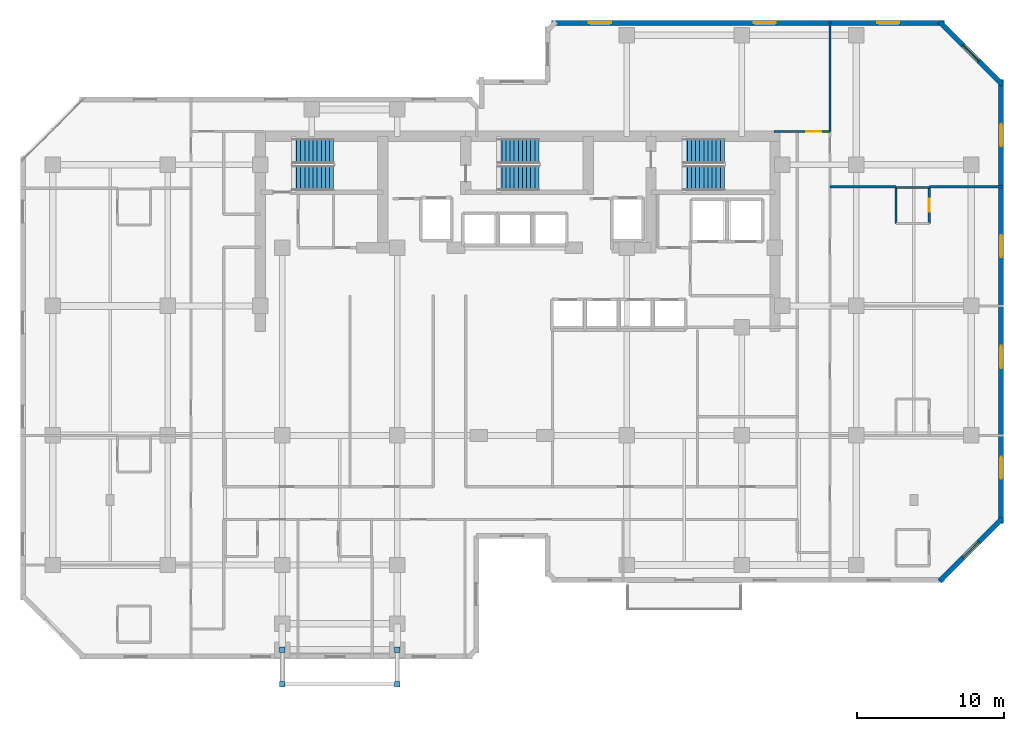
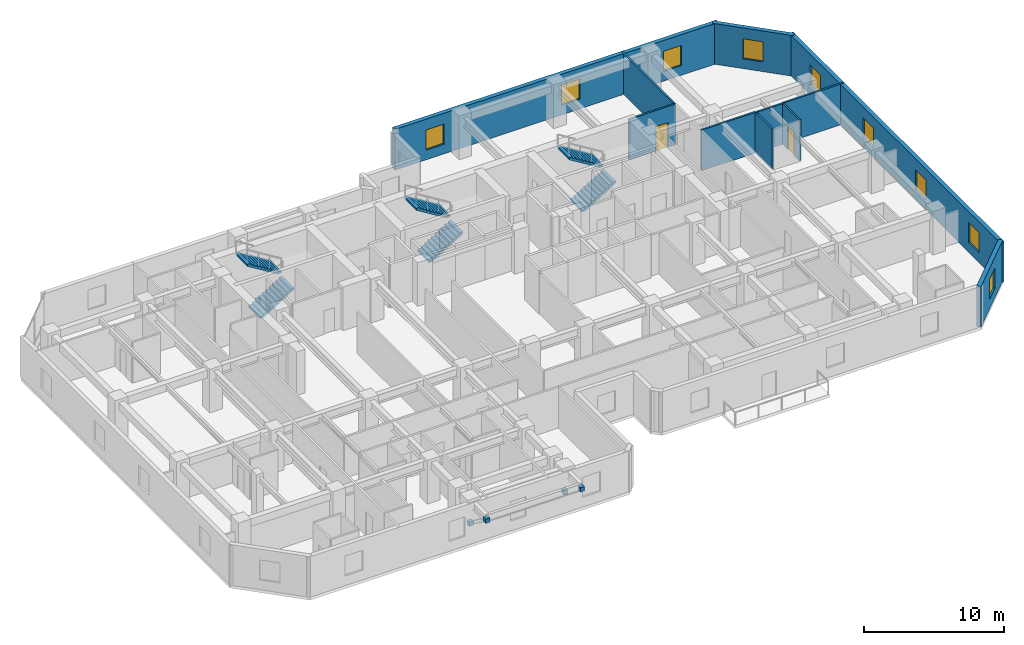
# One storey, part 9 of 11: 11 walls, 9 windows, 6 stair flights, 4 discrete accessories, 2 doors, 11 openings, 3 elements without a shape of their own.
"""IFC4 building model written with IfcOpenShell, lengths in metres."""

import ifcopenshell
import ifcopenshell.guid

model = None  # the IFC model being written
_history = None  # IfcOwnerHistory: only IFC2X3 demands one
_inside = {}  # id of a spatial element -> (the spatial element, [elements in it])
_under = {}  # id of a project, library or spatial element -> (it, [spatial elements below it])
_declared = {}  # id of a project -> (the project, [libraries it declares])
_typed = {}  # id of a type object -> (the type object, [elements of that type])
_made_of = {}  # id of a material, layer set ... -> (it, [elements and type objects made of it])


def new_model(schema):
    """Start an empty IFC model of exactly this schema.

    Asked for "IFC4X3", IfcOpenShell would pick the latest addendum, in which some entities
    have other attributes; the version numbers below select the first issue.
    IFC2X3 requires an IfcOwnerHistory on every rooted entity: one is made here for all.
    """
    global model, _history
    if schema == "IFC4X3":
        model = ifcopenshell.file(schema_version=(4, 3, 0, 0))
    else:
        model = ifcopenshell.file(schema=schema)
    _inside.clear()
    _under.clear()
    _declared.clear()
    _typed.clear()
    _made_of.clear()
    _history = None
    if model.schema == "IFC2X3":
        org = make("IfcOrganization", Name="unknown")
        user = make(
            "IfcPersonAndOrganization",
            ThePerson=make("IfcPerson", FamilyName="unknown"),
            TheOrganization=org,
        )
        app = make(
            "IfcApplication",
            ApplicationDeveloper=org,
            Version="unknown",
            ApplicationFullName="unknown",
            ApplicationIdentifier="unknown",
        )
        _history = make(
            "IfcOwnerHistory",
            OwningUser=user,
            OwningApplication=app,
            ChangeAction="ADDED",
            CreationDate=0,
        )
    return model


def make(cls, **values):
    """One entity of the class cls with the attributes given. An attribute that is None is left unset."""
    return model.create_entity(
        cls, **{name: value for name, value in values.items() if value is not None}
    )


def rooted(cls, **values):
    """An entity with a GlobalId (a new one), such as an element, a storey or a relation."""
    return make(cls, GlobalId=ifcopenshell.guid.new(), OwnerHistory=_history, **values)


def si_unit(unit_type, name, prefix=None):
    """IfcSIUnit, for example si_unit("LENGTHUNIT", "METRE", prefix="MILLI")."""
    return make("IfcSIUnit", UnitType=unit_type, Prefix=prefix, Name=name)


def assignment(units):
    """IfcUnitAssignment: the units of a project."""
    return None if units is None else make("IfcUnitAssignment", Units=units)


def point(xyz):
    """IfcCartesianPoint."""
    return None if xyz is None else make("IfcCartesianPoint", Coordinates=xyz)


def direction(xyz):
    """IfcDirection."""
    return None if xyz is None else make("IfcDirection", DirectionRatios=xyz)


def frame(location, z_axis=None, x_axis=None):
    """IfcAxis2Placement3D, a coordinate frame: its origin and axes. An axis left out is left unset."""
    return make(
        "IfcAxis2Placement3D",
        Location=point(location),
        Axis=direction(z_axis),
        RefDirection=direction(x_axis),
    )


def frame_2d(location, x_axis=None):
    """IfcAxis2Placement2D, a coordinate frame in the plane: its origin and x axis."""
    return make(
        "IfcAxis2Placement2D", Location=point(location), RefDirection=direction(x_axis)
    )


def origin():
    """The frame at (0, 0, 0) with its axes left unset."""
    return frame((0.0, 0.0, 0.0))


def origin_2d():
    """The frame at (0, 0) in the plane with its x axis left unset."""
    return frame_2d((0.0, 0.0))


def place(relative_to, where):
    """IfcLocalPlacement: puts the frame where relative to a parent placement (None: the world)."""
    return make(
        "IfcLocalPlacement", PlacementRelTo=relative_to, RelativePlacement=where
    )


def context(
    kind, dimensions, precision=None, world=None, true_north=None, identifier=None
):
    """IfcGeometricRepresentationContext, for example the 3D "Model" context."""
    return make(
        "IfcGeometricRepresentationContext",
        ContextIdentifier=identifier,
        ContextType=kind,
        CoordinateSpaceDimension=dimensions,
        Precision=precision,
        WorldCoordinateSystem=world,
        TrueNorth=true_north,
    )


def subcontext(parent, identifier, kind, view, scale=None):
    """IfcGeometricRepresentationSubContext, for example "Body" below "Model"."""
    return make(
        "IfcGeometricRepresentationSubContext",
        ContextIdentifier=identifier,
        ContextType=kind,
        ParentContext=parent,
        TargetScale=scale,
        TargetView=view,
    )


def project(units=None, contexts=None):
    """IfcProject with its units and contexts."""
    return rooted(
        "IfcProject",
        Name="project",
        RepresentationContexts=contexts,
        UnitsInContext=assignment(units),
    )


def spatial(cls, under=None, at=None, **own):
    """A site, building, storey or space (cls), placed at a placement, below another one or the project."""
    s = rooted(cls, ObjectPlacement=at, **own)
    if under is not None:
        _under.setdefault(under.id(), (under, []))[1].append(s)
    return s


def polyline(points):
    """IfcPolyline through the points."""
    return make("IfcPolyline", Points=[point(p) for p in points])


def profile(cls, at=None, kind="AREA", **sizes):
    """A parametric profile (cls). Its sizes go by their IFC names, for example OverallWidth=200.0."""
    return make(cls, ProfileType=kind, Position=at, **sizes)


def rectangle(**sizes):
    """IfcRectangleProfileDef."""
    return profile("IfcRectangleProfileDef", **sizes)


def outline(outer, holes=None, kind="AREA"):
    """IfcArbitraryClosedProfileDef: a profile drawn as a closed curve; with holes, ...WithVoids."""
    if holes is None:
        return make("IfcArbitraryClosedProfileDef", ProfileType=kind, OuterCurve=outer)
    return make(
        "IfcArbitraryProfileDefWithVoids",
        ProfileType=kind,
        OuterCurve=outer,
        InnerCurves=holes,
    )


def extrude(swept, where, along, depth):
    """IfcExtrudedAreaSolid: the profile swept, set in the frame where, extruded along a direction by depth."""
    return make(
        "IfcExtrudedAreaSolid",
        SweptArea=swept,
        Position=where,
        ExtrudedDirection=direction(along),
        Depth=depth,
    )


def shape(context_of_items, identifier, shape_type, items):
    """IfcShapeRepresentation: the items that make up one representation, for example the "Body"."""
    return make(
        "IfcShapeRepresentation",
        ContextOfItems=context_of_items,
        RepresentationIdentifier=identifier,
        RepresentationType=shape_type,
        Items=items,
    )


def material(Name=None, Category=None):
    """IfcMaterial."""
    return make("IfcMaterial", Name=Name, Category=Category)


def layer(
    of_material, thickness, ventilated=None, Name=None, Category=None, Priority=None
):
    """IfcMaterialLayer: one layer of a wall or slab, of a material (None: an air gap)."""
    return make(
        "IfcMaterialLayer",
        Material=of_material,
        LayerThickness=thickness,
        IsVentilated=ventilated,
        Name=Name,
        Category=Category,
        Priority=Priority,
    )


def layer_set(layers, Name=None):
    """IfcMaterialLayerSet."""
    return make("IfcMaterialLayerSet", MaterialLayers=layers, LayerSetName=Name)


def made_of(thing, what):
    """Note that an element or type object is made of a material, layer set ...; save() writes the relation."""
    if what is not None:
        _made_of.setdefault(what.id(), (what, []))[1].append(thing)
    return thing


def type_object(cls, material=None, **own):
    """A type object (cls), such as IfcWallType, which elements share."""
    return made_of(rooted(cls, **own), material)


def element(
    cls,
    number,
    at=None,
    inside=None,
    cuts=None,
    type_object=None,
    material=None,
    context=None,
    identifier="Body",
    shape_type=None,
    held_by="IfcProductDefinitionShape",
    body=None,
    shapes=None,
    **own,
):
    """One element of the class cls, such as IfcWall. Its Tag is "e" and its number.

    at: its placement. inside: the storey or other place that contains it. cuts: it is an
    opening in that element (IfcRelVoidsElement). A single representation is given by context,
    identifier, shape_type and body (its items); several are given by shapes. held_by: the class
    of the entity that holds the representations. save() writes the other relations.
    """
    e = rooted(cls, Tag="e%d" % number, ObjectPlacement=at, **own)
    if body is not None:
        shapes = [shape(context, identifier, shape_type, body)]
    if shapes is not None:
        e.Representation = make(held_by, Representations=shapes)
    if inside is not None:
        _inside.setdefault(inside.id(), (inside, []))[1].append(e)
    if cuts is not None:
        rooted(
            "IfcRelVoidsElement", RelatingBuildingElement=cuts, RelatedOpeningElement=e
        )
    if type_object is not None:
        _typed.setdefault(type_object.id(), (type_object, []))[1].append(e)
    return made_of(e, material)


def fill(opening, filler):
    """IfcRelFillsElement: the door or window that sits in an opening."""
    return rooted(
        "IfcRelFillsElement",
        RelatingOpeningElement=opening,
        RelatedBuildingElement=filler,
    )


def aggregate(whole, parts):
    """IfcRelAggregates: a whole, such as a stair, and the parts it consists of."""
    return rooted("IfcRelAggregates", RelatingObject=whole, RelatedObjects=parts)


def save(model, path):
    """Write the relations noted so far, then the file.

    IfcRelAggregates (storeys below a building ...), IfcRelContainedInSpatialStructure (elements
    in a storey), IfcRelDefinesByType, IfcRelAssociatesMaterial and IfcRelDeclares: one each for
    every whole, place, type object, material and project.
    """
    for whole, parts in _under.values():
        aggregate(whole, parts)
    for where, things in _inside.values():
        rooted(
            "IfcRelContainedInSpatialStructure",
            RelatedElements=things,
            RelatingStructure=where,
        )
    for kind, things in _typed.values():
        rooted("IfcRelDefinesByType", RelatedObjects=things, RelatingType=kind)
    for what, things in _made_of.values():
        rooted("IfcRelAssociatesMaterial", RelatedObjects=things, RelatingMaterial=what)
    for by, libraries in _declared.values():
        rooted("IfcRelDeclares", RelatingContext=by, RelatedDefinitions=libraries)
    model.write(path)


model = new_model("IFC4")

# Units and contexts
model_context = context("Model", 3, precision=1e-05, world=origin(), true_north=direction((0.0, 1.0)))
body_context = subcontext(model_context, "Body", "Model", "MODEL_VIEW")
ifc_project = project(units=[si_unit("LENGTHUNIT", "METRE"), si_unit("AREAUNIT", "SQUARE_METRE"), si_unit("VOLUMEUNIT", "CUBIC_METRE"), si_unit("PLANEANGLEUNIT", "RADIAN"), si_unit("MASSUNIT", "GRAM", prefix="KILO")], contexts=[model_context])

# Site, building, storey
site_placement = place(None, origin())
site = spatial("IfcSite", under=ifc_project, at=site_placement, CompositionType="ELEMENT")
building_placement = place(site_placement, origin())
building = spatial("IfcBuilding", under=site, at=building_placement, Name="Kestravale Grand Hotel", CompositionType="ELEMENT")
storey_placement = place(building_placement, frame((0.0, 0.0, 161.199951171875)))
storey = spatial("IfcBuildingStorey", under=building, at=storey_placement, Name="L40", CompositionType="ELEMENT", Elevation=161.199951171875)

# Wall, opening, window
ifc_material_1 = material(Name="Precast concrete f'c 45 MPa", Category="concrete")
ifc_layer_1 = layer(ifc_material_1, 0.340087890625)
ifc_layer_set_1 = layer_set([ifc_layer_1], Name="EW-PREC-340")
wall_type_1 = type_object("IfcWallType", Name="EW-PREC-340", PredefinedType="SOLIDWALL", material=ifc_layer_set_1)
wall_1_placement = place(storey_placement, frame((68.051513671875, 10.091796875, 0.0), z_axis=(0.0, 0.0, 1.0), x_axis=(0.707106781187, 0.707106781187, 0.0)))
wall_1 = element("IfcWall", 1, at=wall_1_placement, inside=storey, type_object=wall_type_1, Name="L40 fluted precast facade wall 8", PredefinedType="SOLIDWALL", context=body_context, shape_type="SweptSolid", body=[
    extrude(rectangle(XDim=6.019775390625, YDim=0.340087890625, at=frame_2d((3.009765625, 0.0))), origin(), (0.0, 0.0, 1.0), 3.550048828125),
])
opening_1_placement = place(wall_1_placement, frame((2.260009765625, 0.0, 0.85009765625)))
opening_1 = element("IfcOpeningElement", 2, at=opening_1_placement, cuts=wall_1, Name="Opening W-GUEST-1500", PredefinedType="OPENING", context=body_context, shape_type="SweptSolid", body=[
    extrude(rectangle(XDim=1.5, YDim=1.75, at=frame_2d((0.75, 0.875))), frame((0.0, 0.179931640625, 0.0), z_axis=(0.0, -1.0, 0.0), x_axis=(1.0, 0.0, 0.0)), (0.0, 0.0, 1.0), 0.360107421875),
])
ifc_material_2 = material(Name="Insulated low-E double glazing in aluminium frame", Category="aluminium")
window_type = type_object("IfcWindowType", Name="W-GUEST-1500", PartitioningType="SINGLE_PANEL", PredefinedType="WINDOW", material=ifc_material_2)
window_1_placement = place(opening_1_placement, origin())
window_1 = element("IfcWindow", 3, at=window_1_placement, inside=storey, type_object=window_type, Name="L40 exterior window 8.1", OverallHeight=1.75, OverallWidth=1.5, PartitioningType="SINGLE_PANEL", PredefinedType="WINDOW", context=body_context, shape_type="SweptSolid", body=[
    extrude(rectangle(XDim=1.5, YDim=1.75, at=frame_2d((0.75, 0.875))), frame((0.0, 0.030029296875, 0.0), z_axis=(0.0, -1.0, 0.0), x_axis=(1.0, 0.0, 0.0)), (0.0, 0.0, 1.0), 0.06005859375),
])
fill(opening_1, window_1)

# Wall, openings, windows
wall_2_placement = place(storey_placement, frame((72.22998046875, 14.030029296875, 0.0), z_axis=(0.0, 0.0, 1.0), x_axis=(0.0, 1.0, 0.0)))
wall_2 = element("IfcWall", 4, at=wall_2_placement, inside=storey, type_object=wall_type_1, Name="L40 fluted precast facade wall 9", PredefinedType="SOLIDWALL", context=body_context, shape_type="SweptSolid", body=[
    extrude(rectangle(XDim=30.139892578125, YDim=0.340087890625, at=frame_2d((15.06982421875, 0.0))), origin(), (0.0, 0.0, 1.0), 3.550048828125),
])
opening_2_placement = place(wall_2_placement, frame((3.017578125, 0.0, 0.85009765625)))
opening_2 = element("IfcOpeningElement", 5, at=opening_2_placement, cuts=wall_2, Name="Opening W-GUEST-1500", PredefinedType="OPENING", context=body_context, shape_type="SweptSolid", body=[
    extrude(rectangle(XDim=1.5, YDim=1.75, at=frame_2d((0.75, 0.875))), frame((0.0, 0.179931640625, 0.0), z_axis=(0.0, -1.0, 0.0), x_axis=(1.0, 0.0, 0.0)), (0.0, 0.0, 1.0), 0.360107421875),
])
opening_3_placement = place(wall_2_placement, frame((10.552490234375, 0.0, 0.85009765625)))
opening_3 = element("IfcOpeningElement", 6, at=opening_3_placement, cuts=wall_2, Name="Opening W-GUEST-1500", PredefinedType="OPENING", context=body_context, shape_type="SweptSolid", body=[
    extrude(rectangle(XDim=1.5, YDim=1.75, at=frame_2d((0.75, 0.875))), frame((0.0, 0.179931640625, 0.0), z_axis=(0.0, -1.0, 0.0), x_axis=(1.0, 0.0, 0.0)), (0.0, 0.0, 1.0), 0.360107421875),
])
opening_4_placement = place(wall_2_placement, frame((18.08740234375, 0.0, 0.85009765625)))
opening_4 = element("IfcOpeningElement", 7, at=opening_4_placement, cuts=wall_2, Name="Opening W-GUEST-1500", PredefinedType="OPENING", context=body_context, shape_type="SweptSolid", body=[
    extrude(rectangle(XDim=1.5, YDim=1.75, at=frame_2d((0.75, 0.875))), frame((0.0, 0.179931640625, 0.0), z_axis=(0.0, -1.0, 0.0), x_axis=(1.0, 0.0, 0.0)), (0.0, 0.0, 1.0), 0.360107421875),
])
opening_5_placement = place(wall_2_placement, frame((25.62255859375, 0.0, 0.85009765625)))
opening_5 = element("IfcOpeningElement", 8, at=opening_5_placement, cuts=wall_2, Name="Opening W-GUEST-1500", PredefinedType="OPENING", context=body_context, shape_type="SweptSolid", body=[
    extrude(rectangle(XDim=1.5, YDim=1.75, at=frame_2d((0.75, 0.875))), frame((0.0, 0.179931640625, 0.0), z_axis=(0.0, -1.0, 0.0), x_axis=(1.0, 0.0, 0.0)), (0.0, 0.0, 1.0), 0.360107421875),
])
window_2_placement = place(opening_2_placement, origin())
window_2 = element("IfcWindow", 9, at=window_2_placement, inside=storey, type_object=window_type, Name="L40 exterior window 9.1", OverallHeight=1.75, OverallWidth=1.5, PartitioningType="SINGLE_PANEL", PredefinedType="WINDOW", context=body_context, shape_type="SweptSolid", body=[
    extrude(rectangle(XDim=1.5, YDim=1.75, at=frame_2d((0.75, 0.875))), frame((0.0, 0.030029296875, 0.0), z_axis=(0.0, -1.0, 0.0), x_axis=(1.0, 0.0, 0.0)), (0.0, 0.0, 1.0), 0.06005859375),
])
fill(opening_2, window_2)
window_3_placement = place(opening_3_placement, origin())
window_3 = element("IfcWindow", 10, at=window_3_placement, inside=storey, type_object=window_type, Name="L40 exterior window 9.2", OverallHeight=1.75, OverallWidth=1.5, PartitioningType="SINGLE_PANEL", PredefinedType="WINDOW", context=body_context, shape_type="SweptSolid", body=[
    extrude(rectangle(XDim=1.5, YDim=1.75, at=frame_2d((0.75, 0.875))), frame((0.0, 0.030029296875, 0.0), z_axis=(0.0, -1.0, 0.0), x_axis=(1.0, 0.0, 0.0)), (0.0, 0.0, 1.0), 0.06005859375),
])
fill(opening_3, window_3)
window_4_placement = place(opening_4_placement, origin())
window_4 = element("IfcWindow", 11, at=window_4_placement, inside=storey, type_object=window_type, Name="L40 exterior window 9.3", OverallHeight=1.75, OverallWidth=1.5, PartitioningType="SINGLE_PANEL", PredefinedType="WINDOW", context=body_context, shape_type="SweptSolid", body=[
    extrude(rectangle(XDim=1.5, YDim=1.75, at=frame_2d((0.75, 0.875))), frame((0.0, 0.030029296875, 0.0), z_axis=(0.0, -1.0, 0.0), x_axis=(1.0, 0.0, 0.0)), (0.0, 0.0, 1.0), 0.06005859375),
])
fill(opening_4, window_4)
window_5_placement = place(opening_5_placement, origin())
window_5 = element("IfcWindow", 12, at=window_5_placement, inside=storey, type_object=window_type, Name="L40 exterior window 9.4", OverallHeight=1.75, OverallWidth=1.5, PartitioningType="SINGLE_PANEL", PredefinedType="WINDOW", context=body_context, shape_type="SweptSolid", body=[
    extrude(rectangle(XDim=1.5, YDim=1.75, at=frame_2d((0.75, 0.875))), frame((0.0, 0.030029296875, 0.0), z_axis=(0.0, -1.0, 0.0), x_axis=(1.0, 0.0, 0.0)), (0.0, 0.0, 1.0), 0.06005859375),
])
fill(opening_5, window_5)

# Wall, opening, window
wall_3_placement = place(storey_placement, frame((72.30810546875, 43.8515625, 0.0), z_axis=(0.0, 0.0, 1.0), x_axis=(-0.707106781187, 0.707106781187, 0.0)))
wall_3 = element("IfcWall", 13, at=wall_3_placement, inside=storey, type_object=wall_type_1, Name="L40 fluted precast facade wall 10", PredefinedType="SOLIDWALL", context=body_context, shape_type="SweptSolid", body=[
    extrude(rectangle(XDim=6.019775390625, YDim=0.340087890625, at=frame_2d((3.009765625, 0.0))), origin(), (0.0, 0.0, 1.0), 3.550048828125),
])
opening_6_placement = place(wall_3_placement, frame((2.260009765625, 0.0, 0.85009765625)))
opening_6 = element("IfcOpeningElement", 14, at=opening_6_placement, cuts=wall_3, Name="Opening W-GUEST-1500", PredefinedType="OPENING", context=body_context, shape_type="SweptSolid", body=[
    extrude(rectangle(XDim=1.5, YDim=1.75, at=frame_2d((0.75, 0.875))), frame((0.0, 0.179931640625, 0.0), z_axis=(0.0, -1.0, 0.0), x_axis=(1.0, 0.0, 0.0)), (0.0, 0.0, 1.0), 0.360107421875),
])
window_6_placement = place(opening_6_placement, origin())
window_6 = element("IfcWindow", 15, at=window_6_placement, inside=storey, type_object=window_type, Name="L40 exterior window 10.1", OverallHeight=1.75, OverallWidth=1.5, PartitioningType="SINGLE_PANEL", PredefinedType="WINDOW", context=body_context, shape_type="SweptSolid", body=[
    extrude(rectangle(XDim=1.5, YDim=1.75, at=frame_2d((0.75, 0.875))), frame((0.0, 0.030029296875, 0.0), z_axis=(0.0, -1.0, 0.0), x_axis=(1.0, 0.0, 0.0)), (0.0, 0.0, 1.0), 0.06005859375),
])
fill(opening_6, window_6)

# Wall, openings, windows
wall_4_placement = place(storey_placement, frame((68.3701171875, 48.030029296875, 0.0), z_axis=(0.0, 0.0, 1.0), x_axis=(-1.0, 0.0, 0.0)))
wall_4 = element("IfcWall", 16, at=wall_4_placement, inside=storey, type_object=wall_type_1, Name="L40 fluted precast facade wall 11", PredefinedType="SOLIDWALL", context=body_context, shape_type="SweptSolid", body=[
    extrude(rectangle(XDim=26.690185546875, YDim=0.340087890625, at=frame_2d((13.34521484375, 0.0))), origin(), (0.0, 0.0, 1.0), 3.550048828125),
])
opening_7_placement = place(wall_4_placement, frame((3.04833984375, 0.0, 0.85009765625)))
opening_7 = element("IfcOpeningElement", 17, at=opening_7_placement, cuts=wall_4, Name="Opening W-GUEST-1500", PredefinedType="OPENING", context=body_context, shape_type="SweptSolid", body=[
    extrude(rectangle(XDim=1.5, YDim=1.75, at=frame_2d((0.75, 0.875))), frame((0.0, 0.179931640625, 0.0), z_axis=(0.0, -1.0, 0.0), x_axis=(1.0, 0.0, 0.0)), (0.0, 0.0, 1.0), 0.360107421875),
])
opening_8_placement = place(wall_4_placement, frame((11.445068359375, 0.0, 0.85009765625)))
opening_8 = element("IfcOpeningElement", 18, at=opening_8_placement, cuts=wall_4, Name="Opening W-GUEST-1500", PredefinedType="OPENING", context=body_context, shape_type="SweptSolid", body=[
    extrude(rectangle(XDim=1.5, YDim=1.75, at=frame_2d((0.75, 0.875))), frame((0.0, 0.179931640625, 0.0), z_axis=(0.0, -1.0, 0.0), x_axis=(1.0, 0.0, 0.0)), (0.0, 0.0, 1.0), 0.360107421875),
])
opening_9_placement = place(wall_4_placement, frame((22.6416015625, 0.0, 0.85009765625)))
opening_9 = element("IfcOpeningElement", 19, at=opening_9_placement, cuts=wall_4, Name="Opening W-GUEST-1500", PredefinedType="OPENING", context=body_context, shape_type="SweptSolid", body=[
    extrude(rectangle(XDim=1.5, YDim=1.75, at=frame_2d((0.75, 0.875))), frame((0.0, 0.179931640625, 0.0), z_axis=(0.0, -1.0, 0.0), x_axis=(1.0, 0.0, 0.0)), (0.0, 0.0, 1.0), 0.360107421875),
])
window_7_placement = place(opening_7_placement, origin())
window_7 = element("IfcWindow", 20, at=window_7_placement, inside=storey, type_object=window_type, Name="L40 exterior window 11.1", OverallHeight=1.75, OverallWidth=1.5, PartitioningType="SINGLE_PANEL", PredefinedType="WINDOW", context=body_context, shape_type="SweptSolid", body=[
    extrude(rectangle(XDim=1.5, YDim=1.75, at=frame_2d((0.75, 0.875))), frame((0.0, 0.030029296875, 0.0), z_axis=(0.0, -1.0, 0.0), x_axis=(1.0, 0.0, 0.0)), (0.0, 0.0, 1.0), 0.06005859375),
])
fill(opening_7, window_7)
window_8_placement = place(opening_8_placement, origin())
window_8 = element("IfcWindow", 21, at=window_8_placement, inside=storey, type_object=window_type, Name="L40 exterior window 11.2", OverallHeight=1.75, OverallWidth=1.5, PartitioningType="SINGLE_PANEL", PredefinedType="WINDOW", context=body_context, shape_type="SweptSolid", body=[
    extrude(rectangle(XDim=1.5, YDim=1.75, at=frame_2d((0.75, 0.875))), frame((0.0, 0.030029296875, 0.0), z_axis=(0.0, -1.0, 0.0), x_axis=(1.0, 0.0, 0.0)), (0.0, 0.0, 1.0), 0.06005859375),
])
fill(opening_8, window_8)
window_9_placement = place(opening_9_placement, origin())
window_9 = element("IfcWindow", 22, at=window_9_placement, inside=storey, type_object=window_type, Name="L40 exterior window 11.3", OverallHeight=1.75, OverallWidth=1.5, PartitioningType="SINGLE_PANEL", PredefinedType="WINDOW", context=body_context, shape_type="SweptSolid", body=[
    extrude(rectangle(XDim=1.5, YDim=1.75, at=frame_2d((0.75, 0.875))), frame((0.0, 0.030029296875, 0.0), z_axis=(0.0, -1.0, 0.0), x_axis=(1.0, 0.0, 0.0)), (0.0, 0.0, 1.0), 0.06005859375),
])
fill(opening_9, window_9)

# Wall
ifc_material_3 = material(Name="Moisture-resistant tile-backer plumbing chase wall", Category="other")
ifc_layer_2 = layer(ifc_material_3, 0.139892578125)
ifc_layer_set_2 = layer_set([ifc_layer_2], Name="IW-PLB-140")
wall_type_2 = type_object("IfcWallType", Name="IW-PLB-140", PredefinedType="PLUMBINGWALL", material=ifc_layer_set_2)
wall_5_placement = place(storey_placement, frame((65.10009765625, 34.409912109375, 0.0), z_axis=(0.0, 0.0, 1.0), x_axis=(0.0, 1.0, 0.0)))
element("IfcWall", 23, at=wall_5_placement, inside=storey, type_object=wall_type_2, Name="W-L40-U08-BW", PredefinedType="PLUMBINGWALL", context=body_context, shape_type="SweptSolid", body=[
    extrude(rectangle(XDim=2.4501953125, YDim=0.139892578125, at=frame_2d((1.22509765625, 0.0))), origin(), (0.0, 0.0, 1.0), 3.550048828125),
])

# Wall, opening, door
wall_6_placement = place(storey_placement, frame((67.35009765625, 34.409912109375, 0.0), z_axis=(0.0, 0.0, 1.0), x_axis=(0.0, 1.0, 0.0)))
wall_6 = element("IfcWall", 24, at=wall_6_placement, inside=storey, type_object=wall_type_2, Name="W-L40-U08-BE", PredefinedType="PLUMBINGWALL", context=body_context, shape_type="SweptSolid", body=[
    extrude(rectangle(XDim=2.4501953125, YDim=0.139892578125, at=frame_2d((1.22509765625, 0.0))), origin(), (0.0, 0.0, 1.0), 3.550048828125),
])
opening_10_placement = place(wall_6_placement, frame((0.784912109375, 0.0, 0.0)))
opening_10 = element("IfcOpeningElement", 25, at=opening_10_placement, cuts=wall_6, Name="Opening D-BATH-880", PredefinedType="OPENING", context=body_context, shape_type="SweptSolid", body=[
    extrude(rectangle(XDim=0.8798828125, YDim=2.050048828125, at=frame_2d((0.43994140625, 1.02490234375))), frame((0.0, 0.079833984375, 0.0), z_axis=(0.0, -1.0, 0.0), x_axis=(1.0, 0.0, 0.0)), (0.0, 0.0, 1.0), 0.159912109375),
])
ifc_material_4 = material(Name="Moisture-sealed walnut en-suite bathroom door", Category="wood")
door_type_1 = type_object("IfcDoorType", Name="D-BATH-880", OperationType="NOTDEFINED", PredefinedType="DOOR", material=ifc_material_4)
door_1_placement = place(opening_10_placement, origin())
door_1 = element("IfcDoor", 26, at=door_1_placement, inside=storey, type_object=door_type_1, Name="D-L40-U08-BATH", OperationType="SINGLE_SWING_RIGHT", OverallHeight=2.050048828125, OverallWidth=0.8798828125, PredefinedType="DOOR", context=body_context, shape_type="SweptSolid", body=[
    extrude(rectangle(XDim=0.8798828125, YDim=2.050048828125, at=frame_2d((0.43994140625, 1.02490234375))), frame((0.0, 0.02490234375, 0.0), z_axis=(0.0, -1.0, 0.0), x_axis=(1.0, 0.0, 0.0)), (0.0, 0.0, 1.0), 0.050048828125),
])
fill(opening_10, door_1)

# Wall
wall_7_placement = place(storey_placement, frame((65.10009765625, 36.860107421875, 0.0), z_axis=(0.0, 0.0, 1.0), x_axis=(1.0, 0.0, 0.0)))
element("IfcWall", 27, at=wall_7_placement, inside=storey, type_object=wall_type_2, Name="W-L40-U08-BN", PredefinedType="PLUMBINGWALL", context=body_context, shape_type="SweptSolid", body=[
    extrude(rectangle(XDim=2.25, YDim=0.139892578125, at=frame_2d((1.125, 0.0))), origin(), (0.0, 0.0, 1.0), 3.550048828125),
])

# Wall, opening, door
ifc_material_5 = material(Name="Double-stud STC 52 acoustic demising partition", Category="other")
ifc_layer_3 = layer(ifc_material_5, 0.14990234375)
ifc_layer_set_3 = layer_set([ifc_layer_3], Name="IW-UNIT-150")
wall_type_3 = type_object("IfcWallType", Name="IW-UNIT-150", PredefinedType="PARTITIONING", material=ifc_layer_set_3)
wall_8_placement = place(storey_placement, frame((56.800048828125, 40.64990234375, 0.0), z_axis=(0.0, 0.0, 1.0), x_axis=(1.0, 0.0, 0.0)))
wall_8 = element("IfcWall", 28, at=wall_8_placement, inside=storey, type_object=wall_type_3, Name="W-L40-SE-N", PredefinedType="PARTITIONING", context=body_context, shape_type="SweptSolid", body=[
    extrude(rectangle(XDim=3.81005859375, YDim=0.14990234375, at=frame_2d((1.905029296875, 0.0))), origin(), (0.0, 0.0, 1.0), 3.550048828125),
])
opening_11_placement = place(wall_8_placement, frame((2.199951171875, 0.0, 0.0)))
opening_11 = element("IfcOpeningElement", 29, at=opening_11_placement, cuts=wall_8, Name="Opening D-GUEST-1000", PredefinedType="OPENING", context=body_context, shape_type="SweptSolid", body=[
    extrude(rectangle(XDim=1.0, YDim=2.14990234375, at=frame_2d((0.5, 1.074951171875))), frame((0.0, 0.0849609375, 0.0), z_axis=(0.0, -1.0, 0.0), x_axis=(1.0, 0.0, 0.0)), (0.0, 0.0, 1.0), 0.169921875),
])
ifc_material_6 = material(Name="Accessible walnut veneer hotel entrance fire door", Category="wood")
door_type_2 = type_object("IfcDoorType", Name="D-GUEST-1000", OperationType="NOTDEFINED", PredefinedType="DOOR", material=ifc_material_6)
door_2_placement = place(opening_11_placement, origin())
door_2 = element("IfcDoor", 30, at=door_2_placement, inside=storey, type_object=door_type_2, Name="L40 NE Gallery Door", OperationType="SINGLE_SWING_LEFT", OverallHeight=2.14990234375, OverallWidth=1.0, PredefinedType="DOOR", context=body_context, shape_type="SweptSolid", body=[
    extrude(rectangle(XDim=1.0, YDim=2.14990234375, at=frame_2d((0.5, 1.074951171875))), frame((0.0, 0.02490234375, 0.0), z_axis=(0.0, -1.0, 0.0), x_axis=(1.0, 0.0, 0.0)), (0.0, 0.0, 1.0), 0.050048828125),
])
fill(opening_11, door_2)

# Walls
wall_9_placement = place(storey_placement, frame((60.610107421875, 40.64990234375, 0.0), z_axis=(0.0, 0.0, 1.0), x_axis=(0.0, 1.0, 0.0)))
element("IfcWall", 31, at=wall_9_placement, inside=storey, type_object=wall_type_3, Name="W-L40-NGE-E", PredefinedType="PARTITIONING", context=body_context, shape_type="SweptSolid", body=[
    extrude(rectangle(XDim=7.530029296875, YDim=0.14990234375, at=frame_2d((3.76513671875, 0.0))), origin(), (0.0, 0.0, 1.0), 3.550048828125),
])
wall_10_placement = place(storey_placement, frame((60.610107421875, 36.89990234375, 0.0), z_axis=(0.0, 0.0, 1.0), x_axis=(1.0, 0.0, 0.0)))
element("IfcWall", 32, at=wall_10_placement, inside=storey, type_object=wall_type_3, Name="W-L40-EW-3", PredefinedType="PARTITIONING", context=body_context, shape_type="SweptSolid", body=[
    extrude(rectangle(XDim=4.489990234375, YDim=0.14990234375, at=frame_2d((2.2451171875, 0.0))), origin(), (0.0, 0.0, 1.0), 3.550048828125),
])
wall_11_placement = place(storey_placement, frame((67.35009765625, 36.89990234375, 0.0), z_axis=(0.0, 0.0, 1.0), x_axis=(1.0, 0.0, 0.0)))
element("IfcWall", 33, at=wall_11_placement, inside=storey, type_object=wall_type_3, Name="W-L40-EW-3", PredefinedType="PARTITIONING", context=body_context, shape_type="SweptSolid", body=[
    extrude(rectangle(XDim=5.02978515625, YDim=0.14990234375, at=frame_2d((2.514892578125, 0.0))), origin(), (0.0, 0.0, 1.0), 3.550048828125),
])

# Stair, stair flights
ifc_material_7 = material(Name="Concrete f'c 45 MPa", Category="concrete")
stair_type = type_object("IfcStairType", Name="ST-CORE-380", PredefinedType="HALF_TURN_STAIR", material=ifc_material_7)
stair_1_placement = place(storey_placement, origin())
stair_1 = element("IfcStair", 34, at=stair_1_placement, inside=storey, type_object=stair_type, Name="L40 ST-1", PredefinedType="HALF_TURN_STAIR")
ifc_material_8 = material(Name="Concrete f'c 45 MPa", Category="concrete")
stair_flight_type = type_object("IfcStairFlightType", Name="STF-CORE-380", PredefinedType="STRAIGHT", material=ifc_material_8)
stair_flight_1_placement = place(storey_placement, frame((24.080078125, 37.489990234375, 0.0), z_axis=(0.0, 0.0, 1.0), x_axis=(1.0, 0.0, 0.0)))
stair_flight_1 = element("IfcStairFlight", 35, at=stair_flight_1_placement, type_object=stair_flight_type, Name="ST-1 flight 1", NumberOfRisers=11, NumberOfTreads=10, PredefinedType="STRAIGHT", RiserHeight=0.172727273, TreadLength=0.28, context=body_context, shape_type="SweptSolid", body=[
    extrude(outline(polyline([(0.0, 0.0), (0.0, 0.172607421875), (0.280029296875, 0.172607421875), (0.280029296875, 0.345458984375), (0.56005859375, 0.345458984375), (0.56005859375, 0.51806640625), (0.840087890625, 0.51806640625), (0.840087890625, 0.69091796875), (1.1201171875, 0.69091796875), (1.1201171875, 0.863525390625), (1.39990234375, 0.863525390625), (1.39990234375, 1.036376953125), (1.679931640625, 1.036376953125), (1.679931640625, 1.208984375), (1.9599609375, 1.208984375), (1.9599609375, 1.3818359375), (2.239990234375, 1.3818359375), (2.239990234375, 1.554443359375), (2.52001953125, 1.554443359375), (2.52001953125, 1.727294921875), (2.800048828125, 1.727294921875), (2.800048828125, 1.89990234375), (2.800048828125, 1.551025390625), (0.285400390625, 0.0), (0.0, 0.0)])), frame((0.0, 0.83984375, 0.0), z_axis=(0.0, -1.0, 0.0), x_axis=(1.0, 0.0, 0.0)), (0.0, 0.0, 1.0), 1.679931640625),
])
stair_flight_2_placement = place(storey_placement, frame((26.8798828125, 39.320068359375, 1.900146484375), z_axis=(0.0, 0.0, 1.0), x_axis=(-1.0, 0.0, 0.0)))
stair_flight_2 = element("IfcStairFlight", 36, at=stair_flight_2_placement, type_object=stair_flight_type, Name="ST-1 flight 2", NumberOfRisers=11, NumberOfTreads=10, PredefinedType="STRAIGHT", RiserHeight=0.172727273, TreadLength=0.28, context=body_context, shape_type="SweptSolid", body=[
    extrude(outline(polyline([(0.0, 0.0), (0.0, 0.172607421875), (0.280029296875, 0.172607421875), (0.280029296875, 0.345458984375), (0.56005859375, 0.345458984375), (0.56005859375, 0.51806640625), (0.840087890625, 0.51806640625), (0.840087890625, 0.69091796875), (1.1201171875, 0.69091796875), (1.1201171875, 0.863525390625), (1.39990234375, 0.863525390625), (1.39990234375, 1.036376953125), (1.679931640625, 1.036376953125), (1.679931640625, 1.208984375), (1.9599609375, 1.208984375), (1.9599609375, 1.3818359375), (2.239990234375, 1.3818359375), (2.239990234375, 1.554443359375), (2.52001953125, 1.554443359375), (2.52001953125, 1.727294921875), (2.800048828125, 1.727294921875), (2.800048828125, 1.89990234375), (2.800048828125, 1.551025390625), (0.285400390625, 0.0), (0.0, 0.0)])), frame((0.0, 0.83984375, 0.0), z_axis=(0.0, -1.0, 0.0), x_axis=(1.0, 0.0, 0.0)), (0.0, 0.0, 1.0), 1.679931640625),
])
aggregate(stair_1, [stair_flight_1, stair_flight_2])

stair_2_placement = place(storey_placement, origin())
stair_2 = element("IfcStair", 37, at=stair_2_placement, inside=storey, type_object=stair_type, Name="L40 ST-2", PredefinedType="HALF_TURN_STAIR")
stair_flight_3_placement = place(storey_placement, frame((38.030029296875, 37.489990234375, 0.0), z_axis=(0.0, 0.0, 1.0), x_axis=(1.0, 0.0, 0.0)))
stair_flight_3 = element("IfcStairFlight", 38, at=stair_flight_3_placement, type_object=stair_flight_type, Name="ST-2 flight 1", NumberOfRisers=11, NumberOfTreads=10, PredefinedType="STRAIGHT", RiserHeight=0.172727273, TreadLength=0.28, context=body_context, shape_type="SweptSolid", body=[
    extrude(outline(polyline([(0.0, 0.0), (0.0, 0.172607421875), (0.280029296875, 0.172607421875), (0.280029296875, 0.345458984375), (0.56005859375, 0.345458984375), (0.56005859375, 0.51806640625), (0.840087890625, 0.51806640625), (0.840087890625, 0.69091796875), (1.1201171875, 0.69091796875), (1.1201171875, 0.863525390625), (1.39990234375, 0.863525390625), (1.39990234375, 1.036376953125), (1.679931640625, 1.036376953125), (1.679931640625, 1.208984375), (1.9599609375, 1.208984375), (1.9599609375, 1.3818359375), (2.239990234375, 1.3818359375), (2.239990234375, 1.554443359375), (2.52001953125, 1.554443359375), (2.52001953125, 1.727294921875), (2.800048828125, 1.727294921875), (2.800048828125, 1.89990234375), (2.800048828125, 1.551025390625), (0.285400390625, 0.0), (0.0, 0.0)])), frame((0.0, 0.83984375, 0.0), z_axis=(0.0, -1.0, 0.0), x_axis=(1.0, 0.0, 0.0)), (0.0, 0.0, 1.0), 1.679931640625),
])
stair_flight_4_placement = place(storey_placement, frame((40.830078125, 39.320068359375, 1.900146484375), z_axis=(0.0, 0.0, 1.0), x_axis=(-1.0, 0.0, 0.0)))
stair_flight_4 = element("IfcStairFlight", 39, at=stair_flight_4_placement, type_object=stair_flight_type, Name="ST-2 flight 2", NumberOfRisers=11, NumberOfTreads=10, PredefinedType="STRAIGHT", RiserHeight=0.172727273, TreadLength=0.28, context=body_context, shape_type="SweptSolid", body=[
    extrude(outline(polyline([(0.0, 0.0), (0.0, 0.172607421875), (0.280029296875, 0.172607421875), (0.280029296875, 0.345458984375), (0.56005859375, 0.345458984375), (0.56005859375, 0.51806640625), (0.840087890625, 0.51806640625), (0.840087890625, 0.69091796875), (1.1201171875, 0.69091796875), (1.1201171875, 0.863525390625), (1.39990234375, 0.863525390625), (1.39990234375, 1.036376953125), (1.679931640625, 1.036376953125), (1.679931640625, 1.208984375), (1.9599609375, 1.208984375), (1.9599609375, 1.3818359375), (2.239990234375, 1.3818359375), (2.239990234375, 1.554443359375), (2.52001953125, 1.554443359375), (2.52001953125, 1.727294921875), (2.800048828125, 1.727294921875), (2.800048828125, 1.89990234375), (2.800048828125, 1.551025390625), (0.285400390625, 0.0), (0.0, 0.0)])), frame((0.0, 0.83984375, 0.0), z_axis=(0.0, -1.0, 0.0), x_axis=(1.0, 0.0, 0.0)), (0.0, 0.0, 1.0), 1.679931640625),
])
aggregate(stair_2, [stair_flight_3, stair_flight_4])

stair_3_placement = place(storey_placement, origin())
stair_3 = element("IfcStair", 40, at=stair_3_placement, inside=storey, type_object=stair_type, Name="L40 ST-3", PredefinedType="HALF_TURN_STAIR")
stair_flight_5_placement = place(storey_placement, frame((50.6298828125, 37.489990234375, 0.0), z_axis=(0.0, 0.0, 1.0), x_axis=(1.0, 0.0, 0.0)))
stair_flight_5 = element("IfcStairFlight", 41, at=stair_flight_5_placement, type_object=stair_flight_type, Name="ST-3 flight 1", NumberOfRisers=11, NumberOfTreads=10, PredefinedType="STRAIGHT", RiserHeight=0.172727273, TreadLength=0.28, context=body_context, shape_type="SweptSolid", body=[
    extrude(outline(polyline([(0.0, 0.0), (0.0, 0.172607421875), (0.280029296875, 0.172607421875), (0.280029296875, 0.345458984375), (0.56005859375, 0.345458984375), (0.56005859375, 0.51806640625), (0.840087890625, 0.51806640625), (0.840087890625, 0.69091796875), (1.1201171875, 0.69091796875), (1.1201171875, 0.863525390625), (1.39990234375, 0.863525390625), (1.39990234375, 1.036376953125), (1.679931640625, 1.036376953125), (1.679931640625, 1.208984375), (1.9599609375, 1.208984375), (1.9599609375, 1.3818359375), (2.239990234375, 1.3818359375), (2.239990234375, 1.554443359375), (2.52001953125, 1.554443359375), (2.52001953125, 1.727294921875), (2.800048828125, 1.727294921875), (2.800048828125, 1.89990234375), (2.800048828125, 1.551025390625), (0.285400390625, 0.0), (0.0, 0.0)])), frame((0.0, 0.83984375, 0.0), z_axis=(0.0, -1.0, 0.0), x_axis=(1.0, 0.0, 0.0)), (0.0, 0.0, 1.0), 1.679931640625),
])
stair_flight_6_placement = place(storey_placement, frame((53.429931640625, 39.320068359375, 1.900146484375), z_axis=(0.0, 0.0, 1.0), x_axis=(-1.0, 0.0, 0.0)))
stair_flight_6 = element("IfcStairFlight", 42, at=stair_flight_6_placement, type_object=stair_flight_type, Name="ST-3 flight 2", NumberOfRisers=11, NumberOfTreads=10, PredefinedType="STRAIGHT", RiserHeight=0.172727273, TreadLength=0.28, context=body_context, shape_type="SweptSolid", body=[
    extrude(outline(polyline([(0.0, 0.0), (0.0, 0.172607421875), (0.280029296875, 0.172607421875), (0.280029296875, 0.345458984375), (0.56005859375, 0.345458984375), (0.56005859375, 0.51806640625), (0.840087890625, 0.51806640625), (0.840087890625, 0.69091796875), (1.1201171875, 0.69091796875), (1.1201171875, 0.863525390625), (1.39990234375, 0.863525390625), (1.39990234375, 1.036376953125), (1.679931640625, 1.036376953125), (1.679931640625, 1.208984375), (1.9599609375, 1.208984375), (1.9599609375, 1.3818359375), (2.239990234375, 1.3818359375), (2.239990234375, 1.554443359375), (2.52001953125, 1.554443359375), (2.52001953125, 1.727294921875), (2.800048828125, 1.727294921875), (2.800048828125, 1.89990234375), (2.800048828125, 1.551025390625), (0.285400390625, 0.0), (0.0, 0.0)])), frame((0.0, 0.83984375, 0.0), z_axis=(0.0, -1.0, 0.0), x_axis=(1.0, 0.0, 0.0)), (0.0, 0.0, 1.0), 1.679931640625),
])
aggregate(stair_3, [stair_flight_5, stair_flight_6])

# Discrete accessories
ifc_material_9 = material(Name="Steel ASTM A572 Grade 50 hot-dip galvanised bracket", Category="steel")
discrete_accessory_type = type_object("IfcDiscreteAccessoryType", Name="ACC-BRK-STL", PredefinedType="BRACKET", material=ifc_material_9)
for number, where, z_axis, x_axis, name in (
    (43, (23.39990234375, 5.449951171875, 1.19384765625), (0.0, 0.0, 1.0), (1.0, 0.0, 0.0), "L41 terrace strut column bracket 1"),
    (44, (23.39990234375, 3.10009765625, 2.89404296875), (0.0, 0.0, 1.0), (1.0, 0.0, 0.0), "L41 terrace strut beam bracket 1"),
    (45, (31.199951171875, 5.449951171875, 1.19384765625), (0.0, 0.0, 1.0), (1.0, 0.0, 0.0), "L41 terrace strut column bracket 2"),
    (46, (31.199951171875, 3.10009765625, 2.89404296875), (0.0, 0.0, 1.0), (1.0, 0.0, 0.0), "L41 terrace strut beam bracket 2"),
):
    element("IfcDiscreteAccessory", number, at=place(storey_placement, frame(where, z_axis=z_axis, x_axis=x_axis)), inside=storey, type_object=discrete_accessory_type, Name=name, PredefinedType="BRACKET", context=body_context, shape_type="SweptSolid", body=[
        extrude(rectangle(XDim=0.360107421875, YDim=0.360107421875, at=origin_2d()), origin(), (0.0, 0.0, 1.0), 0.360107421875),
    ])

save(model, "model.ifc")
